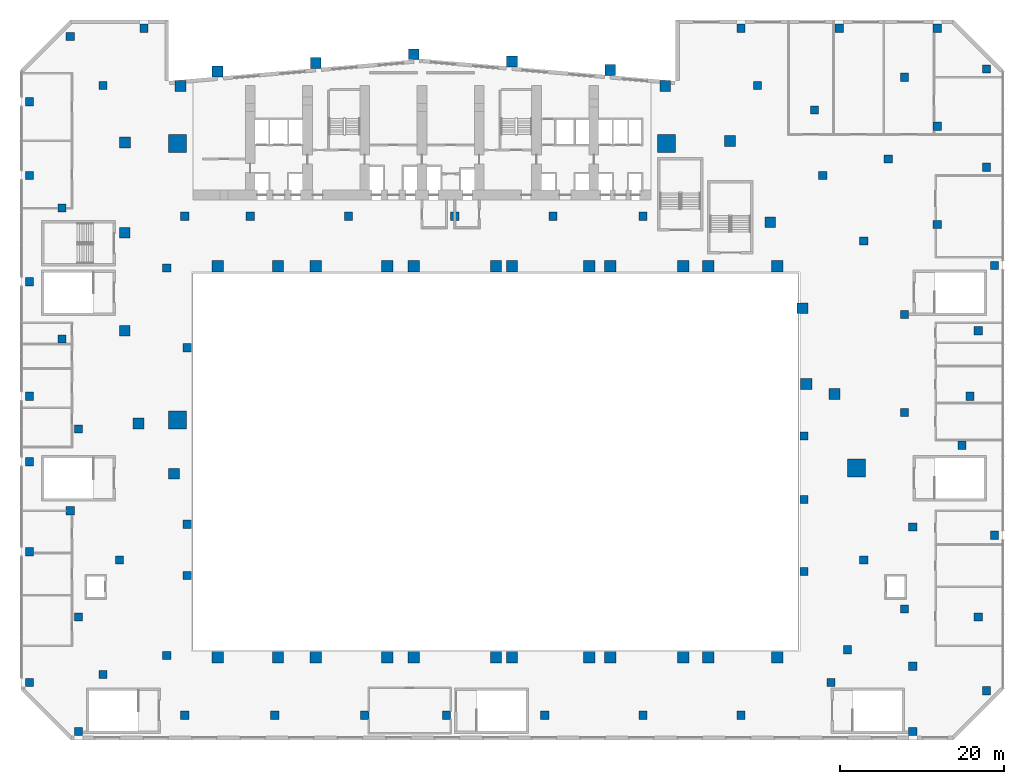
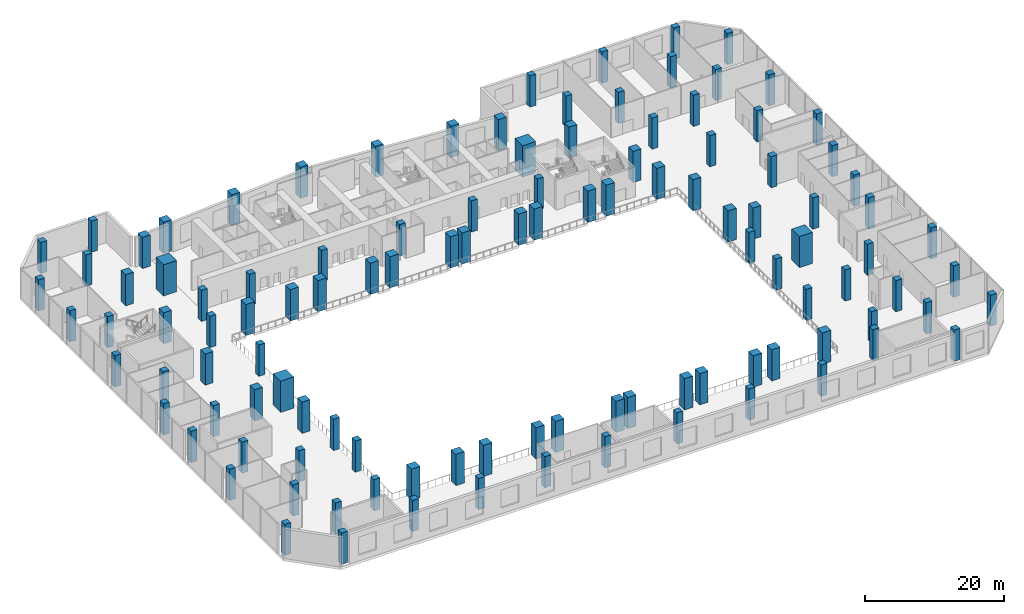
# One storey, part 1 of 25: 113 columns.
"""IFC4 building model written with IfcOpenShell, lengths in metres."""

from ifc_helpers import new_model, si_unit, direction, frame, origin, origin_2d, place, context, subcontext, project, spatial, rectangle, extrude, material, material_profile, profile_set, type_object, element, save


model = new_model("IFC4")

# Units and contexts
model_context = context("Model", 3, precision=1e-05, world=origin(), true_north=direction((0.0, 1.0)))
body_context = subcontext(model_context, "Body", "Model", "MODEL_VIEW")
ifc_project = project(units=[si_unit("LENGTHUNIT", "METRE"), si_unit("AREAUNIT", "SQUARE_METRE"), si_unit("VOLUMEUNIT", "CUBIC_METRE"), si_unit("PLANEANGLEUNIT", "RADIAN"), si_unit("MASSUNIT", "GRAM", prefix="KILO")], contexts=[model_context])

# Site, building, storey
site_placement = place(None, origin())
site = spatial("IfcSite", under=ifc_project, at=site_placement, CompositionType="ELEMENT")
building_placement = place(site_placement, origin())
building = spatial("IfcBuilding", under=site, at=building_placement, Name="Wharfspan Tower", CompositionType="ELEMENT")
storey_placement = place(building_placement, frame((0.0, 0.0, 27.5)))
storey = spatial("IfcBuildingStorey", under=building, at=storey_placement, Name="L04", CompositionType="ELEMENT", Elevation=27.5)

# Columns
ifc_material = material(Name="Concrete C60/75", Category="concrete")
ifc_material_profile_1 = material_profile(ifc_material, rectangle(XDim=1.0, YDim=1.0, at=origin_2d()))
ifc_profile_set_1 = profile_set([ifc_material_profile_1], Name="Concrete C60/75")
column_type_1 = type_object("IfcColumnType", Name="Concrete column 1000 square", PredefinedType="COLUMN", material=ifc_profile_set_1)
for number, where, z_axis, x_axis, name in (
    (1, (5.800049, -21.699951, 0.0), (0.0, 0.0, 1.0), (1.0, 0.0, 0.0), "Column G.S1"),
    (2, (5.800049, 25.699951, 0.0), (0.0, 0.0, 1.0), (1.0, 0.0, 0.0), "Column G.N2"),
    (3, (8.300049, -11.919922, 0.0), (0.0, 0.0, 1.0), (1.0, 0.0, 0.0), "Column G.W3"),
    (4, (8.300049, -5.639893, 0.0), (0.0, 0.0, 1.0), (1.0, 0.0, 0.0), "Column G.W4"),
    (5, (8.300049, 15.919922, 0.0), (0.0, 0.0, 1.0), (1.0, 0.0, 0.0), "Column G.W5"),
    (6, (83.699951, -11.419922, 0.0), (0.0, 0.0, 1.0), (1.0, 0.0, 0.0), "Column G.E6"),
    (7, (83.699951, -2.639893, 0.0), (0.0, 0.0, 1.0), (1.0, 0.0, 0.0), "Column G.E7"),
    (8, (83.699951, 5.139893, 0.0), (0.0, 0.0, 1.0), (1.0, 0.0, 0.0), "Column G.E8"),
    (9, (106.0, 50.0, 0.0), (0.0, 0.0, 1.0), (1.0, 0.0, 0.0), "Column D.1"),
    (10, (106.0, -26.0, 0.0), (0.0, 0.0, 1.0), (1.0, 0.0, 0.0), "Column D.2"),
    (11, (107.0, 26.0, 0.0), (0.0, 0.0, 1.0), (1.0, 0.0, 0.0), "Column D.3"),
    (12, (-11.0, -9.0, 0.0), (0.0, 0.0, 1.0), (1.0, 0.0, 0.0), "Column D.4"),
    (13, (107.0, -7.0, 0.0), (0.0, 0.0, 1.0), (1.0, 0.0, 0.0), "Column D.5"),
    (14, (88.0, 55.0, 0.0), (0.0, 0.0, 1.0), (1.0, 0.0, 0.0), "Column D.6"),
    (15, (-11.0, -25.0, 0.0), (0.0, 0.0, 1.0), (1.0, 0.0, 0.0), "Column D.7"),
    (16, (94.0, 39.0, 0.0), (0.0, 0.0, 1.0), (1.0, 0.0, 0.0), "Column D.8"),
    (17, (104.0, 10.0, 0.0), (0.0, 0.0, 1.0), (1.0, 0.0, 0.0), "Column D.9"),
    (18, (-6.0, 54.0, 0.0), (0.0, 0.0, 1.0), (1.0, 0.0, 0.0), "Column D.10"),
    (19, (97.0, -31.0, 0.0), (0.0, 0.0, 1.0), (1.0, 0.0, 0.0), "Column D.11"),
    (20, (-11.0, 10.0, 0.0), (0.0, 0.0, 1.0), (1.0, 0.0, 0.0), "Column D.12"),
    (21, (96.0, -16.0, 0.0), (0.0, 0.0, 1.0), (1.0, 0.0, 0.0), "Column D.13"),
    (22, (-11.0, 24.0, 0.0), (0.0, 0.0, 1.0), (1.0, 0.0, 0.0), "Column D.14"),
    (23, (96.0, 20.0, 0.0), (0.0, 0.0, 1.0), (1.0, 0.0, 0.0), "Column D.15"),
    (24, (-11.0, 37.0, 0.0), (0.0, 0.0, 1.0), (1.0, 0.0, 0.0), "Column D.16"),
    (25, (106.0, 38.0, 0.0), (0.0, 0.0, 1.0), (1.0, 0.0, 0.0), "Column D.17"),
    (26, (76.0, 55.0, 0.0), (0.0, 0.0, 1.0), (1.0, 0.0, 0.0), "Column D.18"),
    (27, (-5.0, -31.0, 0.0), (0.0, 0.0, 1.0), (1.0, 0.0, 0.0), "Column D.19"),
    (28, (87.0, -25.0, 0.0), (0.0, 0.0, 1.0), (1.0, 0.0, 0.0), "Column D.20"),
    (29, (-5.0, -17.0, 0.0), (0.0, 0.0, 1.0), (1.0, 0.0, 0.0), "Column D.21"),
    (30, (85.0, 45.0, 0.0), (0.0, 0.0, 1.0), (1.0, 0.0, 0.0), "Column D.22"),
    (31, (40.0, -29.0, 0.0), (0.0, 0.0, 1.0), (1.0, 0.0, 0.0), "Column D.23"),
    (32, (-6.0, -4.0, 0.0), (0.0, 0.0, 1.0), (1.0, 0.0, 0.0), "Column D.24"),
    (33, (91.0, 29.0, 0.0), (0.0, 0.0, 1.0), (1.0, 0.0, 0.0), "Column D.25"),
    (34, (52.0, -29.0, 0.0), (0.0, 0.0, 1.0), (1.0, 0.0, 0.0), "Column D.26"),
    (35, (96.0, 49.0, 0.0), (0.0, 0.0, 1.0), (1.0, 0.0, 0.0), "Column D.27"),
    (36, (97.0, -6.0, 0.0), (0.0, 0.0, 1.0), (1.0, 0.0, 0.0), "Column D.28"),
    (37, (30.0, -29.0, 0.0), (0.0, 0.0, 1.0), (1.0, 0.0, 0.0), "Column D.29"),
    (38, (64.0, -29.0, 0.0), (0.0, 0.0, 1.0), (1.0, 0.0, 0.0), "Column D.30"),
    (39, (76.0, -29.0, 0.0), (0.0, 0.0, 1.0), (1.0, 0.0, 0.0), "Column D.31"),
    (40, (19.0, -29.0, 0.0), (0.0, 0.0, 1.0), (1.0, 0.0, 0.0), "Column D.32"),
    (41, (8.0, -29.0, 0.0), (0.0, 0.0, 1.0), (1.0, 0.0, 0.0), "Column D.33"),
    (42, (105.0, -17.0, 0.0), (0.0, 0.0, 1.0), (1.0, 0.0, 0.0), "Column D.34"),
    (43, (-11.0, 46.0, 0.0), (0.0, 0.0, 1.0), (1.0, 0.0, 0.0), "Column D.35"),
    (44, (103.0, 4.0, 0.0), (0.0, 0.0, 1.0), (1.0, 0.0, 0.0), "Column D.36"),
    (45, (41.0, 32.0, 0.0), (0.0, 0.0, 1.0), (1.0, 0.0, 0.0), "Column D.37"),
    (46, (100.0, 31.0, 0.0), (0.0, 0.0, 1.0), (1.0, 0.0, 0.0), "Column D.38"),
    (47, (0.0, -10.0, 0.0), (0.0, 0.0, 1.0), (1.0, 0.0, 0.0), "Column D.39"),
    (48, (53.0, 32.0, 0.0), (0.0, 0.0, 1.0), (1.0, 0.0, 0.0), "Column D.40"),
    (49, (3.0, 55.0, 0.0), (0.0, 0.0, 1.0), (1.0, 0.0, 0.0), "Column D.41"),
    (50, (28.0, 32.0, 0.0), (0.0, 0.0, 1.0), (1.0, 0.0, 0.0), "Column D.42"),
    (51, (64.0, 32.0, 0.0), (0.0, 0.0, 1.0), (1.0, 0.0, 0.0), "Column D.43"),
    (52, (86.0, 37.0, 0.0), (0.0, 0.0, 1.0), (1.0, 0.0, 0.0), "Column D.44"),
    (53, (96.0, 8.0, 0.0), (0.0, 0.0, 1.0), (1.0, 0.0, 0.0), "Column D.45"),
    (54, (105.0, 18.0, 0.0), (0.0, 0.0, 1.0), (1.0, 0.0, 0.0), "Column D.46"),
    (55, (16.0, 32.0, 0.0), (0.0, 0.0, 1.0), (1.0, 0.0, 0.0), "Column D.47"),
    (56, (-11.0, 2.0, 0.0), (0.0, 0.0, 1.0), (1.0, 0.0, 0.0), "Column D.48"),
    (57, (-7.0, 17.0, 0.0), (0.0, 0.0, 1.0), (1.0, 0.0, 0.0), "Column D.49"),
    (58, (8.0, 32.0, 0.0), (0.0, 0.0, 1.0), (1.0, 0.0, 0.0), "Column D.50"),
    (59, (-2.0, -24.0, 0.0), (0.0, 0.0, 1.0), (1.0, 0.0, 0.0), "Column D.51"),
    (60, (97.0, -23.0, 0.0), (0.0, 0.0, 1.0), (1.0, 0.0, 0.0), "Column D.52"),
    (61, (78.0, 48.0, 0.0), (0.0, 0.0, 1.0), (1.0, 0.0, 0.0), "Column D.53"),
    (62, (89.0, -21.0, 0.0), (0.0, 0.0, 1.0), (1.0, 0.0, 0.0), "Column D.54"),
    (63, (-7.0, 33.0, 0.0), (0.0, 0.0, 1.0), (1.0, 0.0, 0.0), "Column D.55"),
    (64, (-5.0, 6.0, 0.0), (0.0, 0.0, 1.0), (1.0, 0.0, 0.0), "Column D.56"),
    (65, (-2.0, 48.0, 0.0), (0.0, 0.0, 1.0), (1.0, 0.0, 0.0), "Column D.57"),
    (66, (91.0, -10.0, 0.0), (0.0, 0.0, 1.0), (1.0, 0.0, 0.0), "Column D.58"),
    (67, (100.0, 43.0, 0.0), (0.0, 0.0, 1.0), (1.0, 0.0, 0.0), "Column D.59"),
    (68, (100.0, 55.0, 0.0), (0.0, 0.0, 1.0), (1.0, 0.0, 0.0), "Column D.60"),
):
    element("IfcColumn", number, at=place(storey_placement, frame(where, z_axis=z_axis, x_axis=x_axis)), inside=storey, type_object=column_type_1, Name=name, PredefinedType="COLUMN", context=body_context, shape_type="SweptSolid", body=[
        extrude(rectangle(XDim=1.0, YDim=1.0, at=origin_2d()), origin(), (0.0, 0.0, 1.0), 5.5),
    ])
ifc_material_profile_2 = material_profile(ifc_material, rectangle(XDim=1.320068, YDim=1.320068, at=origin_2d()))
ifc_profile_set_2 = profile_set([ifc_material_profile_2], Name="Concrete C60/75")
column_type_2 = type_object("IfcColumnType", Name="Concrete column 1320 square", PredefinedType="COLUMN", material=ifc_profile_set_2)
for number, where, z_axis, x_axis, name in (
    (69, (6.694336, 0.528564, 0.0), (0.0, 0.0, 1.0), (1.0, 0.0, 0.0), "Column T.PS1.1"),
    (70, (87.44458, 10.268311, 0.0), (0.0, 0.0, 1.0), (1.0, 0.0, 0.0), "Column T.PE.1"),
    (71, (83.50708, 20.768311, 0.0), (0.0, 0.0, 1.0), (1.0, 0.0, 0.0), "Column T.PE.2"),
    (72, (79.56958, 31.268311, 0.0), (0.0, 0.0, 1.0), (1.0, 0.0, 0.0), "Column T.PE.3"),
    (73, (74.634277, 41.196289, 0.0), (0.0, 0.0, 1.0), (1.0, 0.0, 0.0), "Column T.PE.4"),
    (74, (66.747803, 47.915283, 0.0), (0.0, 0.0, 1.0), (1.0, 0.0, 0.0), "Column T.PNRE-V.1"),
    (75, (7.466553, 47.933594, 0.0), (0.0, 0.0, 1.0), (1.0, 0.0, 0.0), "Column T.PNRW-V.1"),
    (76, (0.684814, 41.03418, 0.0), (0.0, 0.0, 1.0), (1.0, 0.0, 0.0), "Column T.PNRW-H.1"),
    (77, (0.659912, 30.0, 0.0), (0.0, 0.0, 1.0), (1.0, 0.0, 0.0), "Column T.PW.1"),
    (78, (0.659912, 18.0, 0.0), (0.0, 0.0, 1.0), (1.0, 0.0, 0.0), "Column T.PW.2"),
    (79, (2.331787, 6.66748, 0.0), (0.0, 0.0, 1.0), (1.0, 0.0, 0.0), "Column T.PW.3"),
    (80, (12.0, 49.709961, 0.0), (0.0, 0.0, 1.0), (1.0, 0.0, 0.0), "Column T.R.1"),
    (81, (24.0, 50.759766, 0.0), (0.0, 0.0, 1.0), (1.0, 0.0, 0.0), "Column T.R.2"),
    (82, (36.0, 51.80957, 0.0), (0.0, 0.0, 1.0), (1.0, 0.0, 0.0), "Column T.R.3"),
    (83, (48.0, 50.934814, 0.0), (0.0, 0.0, 1.0), (1.0, 0.0, 0.0), "Column T.R.4"),
    (84, (60.0, 49.884766, 0.0), (0.0, 0.0, 1.0), (1.0, 0.0, 0.0), "Column T.R.5"),
):
    element("IfcColumn", number, at=place(storey_placement, frame(where, z_axis=z_axis, x_axis=x_axis)), inside=storey, type_object=column_type_2, Name=name, PredefinedType="COLUMN", context=body_context, shape_type="SweptSolid", body=[
        extrude(rectangle(XDim=1.320068, YDim=1.320068, at=origin_2d()), origin(), (0.0, 0.0, 1.0), 5.5),
    ])
ifc_material_profile_3 = material_profile(ifc_material, rectangle(XDim=1.399902, YDim=1.399902, at=origin_2d()))
ifc_profile_set_3 = profile_set([ifc_material_profile_3], Name="Concrete C60/75")
column_type_3 = type_object("IfcColumnType", Name="Concrete column 1400 square", PredefinedType="COLUMN", material=ifc_profile_set_3)
for number, where, z_axis, x_axis, name in (
    (85, (84.0, 11.5, 0.0), (0.0, 0.0, 1.0), (1.0, 0.0, 0.0), "Column T.I.1.7"),
    (86, (12.0, -21.899902, 0.0), (0.0, 0.0, 1.0), (1.0, 0.0, 0.0), "Column RS.1"),
    (87, (12.0, 25.899902, 0.0), (0.0, 0.0, 1.0), (1.0, 0.0, 0.0), "Column RN.1"),
    (88, (19.391113, -21.899902, 0.0), (0.0, 0.0, 1.0), (1.0, 0.0, 0.0), "Column RS.2"),
    (89, (19.391113, 25.899902, 0.0), (0.0, 0.0, 1.0), (1.0, 0.0, 0.0), "Column RN.2"),
    (90, (24.0, -21.899902, 0.0), (0.0, 0.0, 1.0), (1.0, 0.0, 0.0), "Column RS.3"),
    (91, (24.0, 25.899902, 0.0), (0.0, 0.0, 1.0), (1.0, 0.0, 0.0), "Column RN.3"),
    (92, (32.724121, -21.899902, 0.0), (0.0, 0.0, 1.0), (1.0, 0.0, 0.0), "Column RS.4"),
    (93, (32.724121, 25.899902, 0.0), (0.0, 0.0, 1.0), (1.0, 0.0, 0.0), "Column RN.4"),
    (94, (36.0, -21.899902, 0.0), (0.0, 0.0, 1.0), (1.0, 0.0, 0.0), "Column RS.5"),
    (95, (36.0, 25.899902, 0.0), (0.0, 0.0, 1.0), (1.0, 0.0, 0.0), "Column RN.5"),
    (96, (46.041992, -21.899902, 0.0), (0.0, 0.0, 1.0), (1.0, 0.0, 0.0), "Column RS.6"),
    (97, (46.041992, 25.899902, 0.0), (0.0, 0.0, 1.0), (1.0, 0.0, 0.0), "Column RN.6"),
    (98, (48.0, -21.899902, 0.0), (0.0, 0.0, 1.0), (1.0, 0.0, 0.0), "Column RS.7"),
    (99, (48.0, 25.899902, 0.0), (0.0, 0.0, 1.0), (1.0, 0.0, 0.0), "Column RN.7"),
    (100, (57.441895, -21.899902, 0.0), (0.0, 0.0, 1.0), (1.0, 0.0, 0.0), "Column RS.8"),
    (101, (57.441895, 25.899902, 0.0), (0.0, 0.0, 1.0), (1.0, 0.0, 0.0), "Column RN.8"),
    (102, (60.0, -21.899902, 0.0), (0.0, 0.0, 1.0), (1.0, 0.0, 0.0), "Column RS.9"),
    (103, (60.0, 25.899902, 0.0), (0.0, 0.0, 1.0), (1.0, 0.0, 0.0), "Column RN.9"),
    (104, (68.941895, -21.899902, 0.0), (0.0, 0.0, 1.0), (1.0, 0.0, 0.0), "Column RS.10"),
    (105, (68.941895, 25.899902, 0.0), (0.0, 0.0, 1.0), (1.0, 0.0, 0.0), "Column RN.10"),
    (106, (72.0, -21.899902, 0.0), (0.0, 0.0, 1.0), (1.0, 0.0, 0.0), "Column RS.11"),
    (107, (72.0, 25.899902, 0.0), (0.0, 0.0, 1.0), (1.0, 0.0, 0.0), "Column RN.11"),
    (108, (80.441895, -21.899902, 0.0), (0.0, 0.0, 1.0), (1.0, 0.0, 0.0), "Column RS.12"),
    (109, (80.441895, 25.899902, 0.0), (0.0, 0.0, 1.0), (1.0, 0.0, 0.0), "Column RN.12"),
):
    element("IfcColumn", number, at=place(storey_placement, frame(where, z_axis=z_axis, x_axis=x_axis)), inside=storey, type_object=column_type_3, Name=name, PredefinedType="COLUMN", context=body_context, shape_type="SweptSolid", body=[
        extrude(rectangle(XDim=1.399902, YDim=1.399902, at=origin_2d()), origin(), (0.0, 0.0, 1.0), 5.5),
    ])
ifc_material_profile_4 = material_profile(ifc_material, rectangle(XDim=2.199951, YDim=2.199951, at=origin_2d()))
ifc_profile_set_4 = profile_set([ifc_material_profile_4], Name="Concrete C60/75")
column_type_4 = type_object("IfcColumnType", Name="Concrete column 2200 square", PredefinedType="COLUMN", material=ifc_profile_set_4)
for number, where, z_axis, x_axis, name in (
    (110, (7.100098, 7.100098, 0.0), (0.0, 0.0, 1.0), (1.0, 0.0, 0.0), "Column T.MC1"),
    (111, (7.100098, 40.899902, 0.0), (0.0, 0.0, 1.0), (1.0, 0.0, 0.0), "Column T.MC2"),
    (112, (66.899902, 40.899902, 0.0), (0.0, 0.0, 1.0), (1.0, 0.0, 0.0), "Column T.MC3"),
    (113, (90.096436, 1.199707, 0.0), (0.0, 0.0, 1.0), (1.0, 0.0, 0.0), "Column T.MC4"),
):
    element("IfcColumn", number, at=place(storey_placement, frame(where, z_axis=z_axis, x_axis=x_axis)), inside=storey, type_object=column_type_4, Name=name, PredefinedType="COLUMN", context=body_context, shape_type="SweptSolid", body=[
        extrude(rectangle(XDim=2.199951, YDim=2.199951, at=origin_2d()), origin(), (0.0, 0.0, 1.0), 5.5),
    ])

save(model, "model.ifc")
